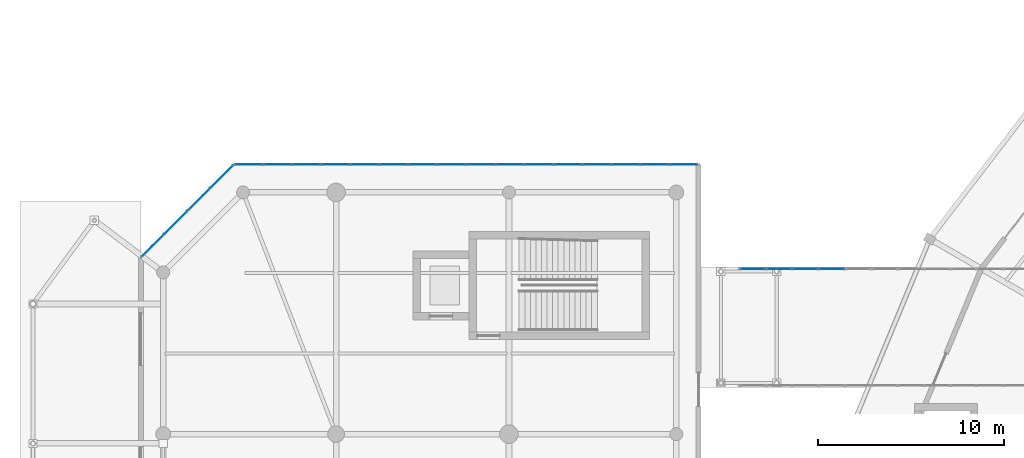
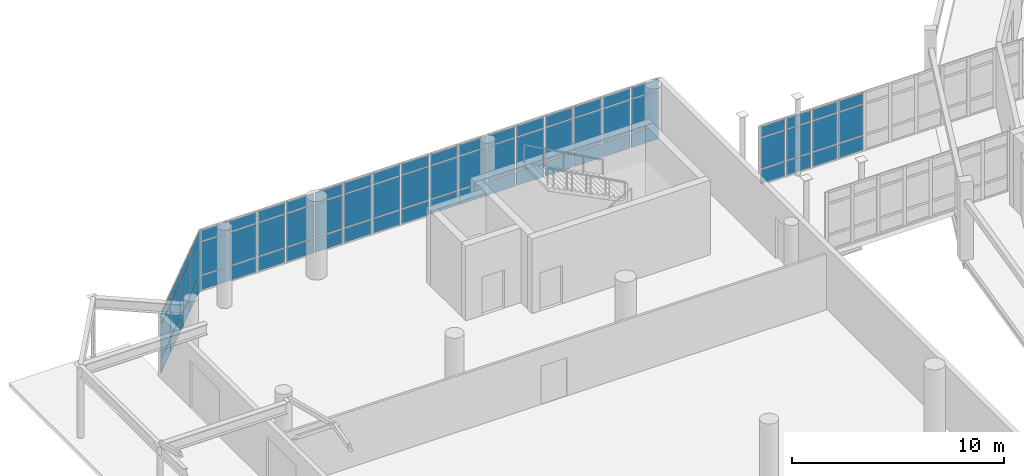
# One storey, part 85 of 122: 72 plates, 3 elements without a shape of their own.
"""IFC4 building model written with IfcOpenShell, lengths in metres."""

import ifcopenshell
import ifcopenshell.guid

model = None  # the IFC model being written
_history = None  # IfcOwnerHistory: only IFC2X3 demands one
_inside = {}  # id of a spatial element -> (the spatial element, [elements in it])
_under = {}  # id of a project, library or spatial element -> (it, [spatial elements below it])
_declared = {}  # id of a project -> (the project, [libraries it declares])
_typed = {}  # id of a type object -> (the type object, [elements of that type])
_made_of = {}  # id of a material, layer set ... -> (it, [elements and type objects made of it])


def new_model(schema):
    """Start an empty IFC model of exactly this schema.

    Asked for "IFC4X3", IfcOpenShell would pick the latest addendum, in which some entities
    have other attributes; the version numbers below select the first issue.
    IFC2X3 requires an IfcOwnerHistory on every rooted entity: one is made here for all.
    """
    global model, _history
    if schema == "IFC4X3":
        model = ifcopenshell.file(schema_version=(4, 3, 0, 0))
    else:
        model = ifcopenshell.file(schema=schema)
    _inside.clear()
    _under.clear()
    _declared.clear()
    _typed.clear()
    _made_of.clear()
    _history = None
    if model.schema == "IFC2X3":
        org = make("IfcOrganization", Name="unknown")
        user = make(
            "IfcPersonAndOrganization",
            ThePerson=make("IfcPerson", FamilyName="unknown"),
            TheOrganization=org,
        )
        app = make(
            "IfcApplication",
            ApplicationDeveloper=org,
            Version="unknown",
            ApplicationFullName="unknown",
            ApplicationIdentifier="unknown",
        )
        _history = make(
            "IfcOwnerHistory",
            OwningUser=user,
            OwningApplication=app,
            ChangeAction="ADDED",
            CreationDate=0,
        )
    return model


def make(cls, **values):
    """One entity of the class cls with the attributes given. An attribute that is None is left unset."""
    return model.create_entity(
        cls, **{name: value for name, value in values.items() if value is not None}
    )


def rooted(cls, **values):
    """An entity with a GlobalId (a new one), such as an element, a storey or a relation."""
    return make(cls, GlobalId=ifcopenshell.guid.new(), OwnerHistory=_history, **values)


def si_unit(unit_type, name, prefix=None):
    """IfcSIUnit, for example si_unit("LENGTHUNIT", "METRE", prefix="MILLI")."""
    return make("IfcSIUnit", UnitType=unit_type, Prefix=prefix, Name=name)


def assignment(units):
    """IfcUnitAssignment: the units of a project."""
    return None if units is None else make("IfcUnitAssignment", Units=units)


def point(xyz):
    """IfcCartesianPoint."""
    return None if xyz is None else make("IfcCartesianPoint", Coordinates=xyz)


def direction(xyz):
    """IfcDirection."""
    return None if xyz is None else make("IfcDirection", DirectionRatios=xyz)


def frame(location, z_axis=None, x_axis=None):
    """IfcAxis2Placement3D, a coordinate frame: its origin and axes. An axis left out is left unset."""
    return make(
        "IfcAxis2Placement3D",
        Location=point(location),
        Axis=direction(z_axis),
        RefDirection=direction(x_axis),
    )


def frame_2d(location, x_axis=None):
    """IfcAxis2Placement2D, a coordinate frame in the plane: its origin and x axis."""
    return make(
        "IfcAxis2Placement2D", Location=point(location), RefDirection=direction(x_axis)
    )


def origin():
    """The frame at (0, 0, 0) with its axes left unset."""
    return frame((0.0, 0.0, 0.0))


def origin_2d():
    """The frame at (0, 0) in the plane with its x axis left unset."""
    return frame_2d((0.0, 0.0))


def place(relative_to, where):
    """IfcLocalPlacement: puts the frame where relative to a parent placement (None: the world)."""
    return make(
        "IfcLocalPlacement", PlacementRelTo=relative_to, RelativePlacement=where
    )


def context(
    kind, dimensions, precision=None, world=None, true_north=None, identifier=None
):
    """IfcGeometricRepresentationContext, for example the 3D "Model" context."""
    return make(
        "IfcGeometricRepresentationContext",
        ContextIdentifier=identifier,
        ContextType=kind,
        CoordinateSpaceDimension=dimensions,
        Precision=precision,
        WorldCoordinateSystem=world,
        TrueNorth=true_north,
    )


def subcontext(parent, identifier, kind, view, scale=None):
    """IfcGeometricRepresentationSubContext, for example "Body" below "Model"."""
    return make(
        "IfcGeometricRepresentationSubContext",
        ContextIdentifier=identifier,
        ContextType=kind,
        ParentContext=parent,
        TargetScale=scale,
        TargetView=view,
    )


def project(units=None, contexts=None):
    """IfcProject with its units and contexts."""
    return rooted(
        "IfcProject",
        Name="project",
        RepresentationContexts=contexts,
        UnitsInContext=assignment(units),
    )


def spatial(cls, under=None, at=None, **own):
    """A site, building, storey or space (cls), placed at a placement, below another one or the project."""
    s = rooted(cls, ObjectPlacement=at, **own)
    if under is not None:
        _under.setdefault(under.id(), (under, []))[1].append(s)
    return s


def profile(cls, at=None, kind="AREA", **sizes):
    """A parametric profile (cls). Its sizes go by their IFC names, for example OverallWidth=200.0."""
    return make(cls, ProfileType=kind, Position=at, **sizes)


def rectangle(**sizes):
    """IfcRectangleProfileDef."""
    return profile("IfcRectangleProfileDef", **sizes)


def extrude(swept, where, along, depth):
    """IfcExtrudedAreaSolid: the profile swept, set in the frame where, extruded along a direction by depth."""
    return make(
        "IfcExtrudedAreaSolid",
        SweptArea=swept,
        Position=where,
        ExtrudedDirection=direction(along),
        Depth=depth,
    )


def shape(context_of_items, identifier, shape_type, items):
    """IfcShapeRepresentation: the items that make up one representation, for example the "Body"."""
    return make(
        "IfcShapeRepresentation",
        ContextOfItems=context_of_items,
        RepresentationIdentifier=identifier,
        RepresentationType=shape_type,
        Items=items,
    )


def material(Name=None, Category=None):
    """IfcMaterial."""
    return make("IfcMaterial", Name=Name, Category=Category)


def layer(
    of_material, thickness, ventilated=None, Name=None, Category=None, Priority=None
):
    """IfcMaterialLayer: one layer of a wall or slab, of a material (None: an air gap)."""
    return make(
        "IfcMaterialLayer",
        Material=of_material,
        LayerThickness=thickness,
        IsVentilated=ventilated,
        Name=Name,
        Category=Category,
        Priority=Priority,
    )


def layer_set(layers, Name=None):
    """IfcMaterialLayerSet."""
    return make("IfcMaterialLayerSet", MaterialLayers=layers, LayerSetName=Name)


def made_of(thing, what):
    """Note that an element or type object is made of a material, layer set ...; save() writes the relation."""
    if what is not None:
        _made_of.setdefault(what.id(), (what, []))[1].append(thing)
    return thing


def type_object(cls, material=None, **own):
    """A type object (cls), such as IfcWallType, which elements share."""
    return made_of(rooted(cls, **own), material)


def element(
    cls,
    number,
    at=None,
    inside=None,
    cuts=None,
    type_object=None,
    material=None,
    context=None,
    identifier="Body",
    shape_type=None,
    held_by="IfcProductDefinitionShape",
    body=None,
    shapes=None,
    **own,
):
    """One element of the class cls, such as IfcWall. Its Tag is "e" and its number.

    at: its placement. inside: the storey or other place that contains it. cuts: it is an
    opening in that element (IfcRelVoidsElement). A single representation is given by context,
    identifier, shape_type and body (its items); several are given by shapes. held_by: the class
    of the entity that holds the representations. save() writes the other relations.
    """
    e = rooted(cls, Tag="e%d" % number, ObjectPlacement=at, **own)
    if body is not None:
        shapes = [shape(context, identifier, shape_type, body)]
    if shapes is not None:
        e.Representation = make(held_by, Representations=shapes)
    if inside is not None:
        _inside.setdefault(inside.id(), (inside, []))[1].append(e)
    if cuts is not None:
        rooted(
            "IfcRelVoidsElement", RelatingBuildingElement=cuts, RelatedOpeningElement=e
        )
    if type_object is not None:
        _typed.setdefault(type_object.id(), (type_object, []))[1].append(e)
    return made_of(e, material)


def aggregate(whole, parts):
    """IfcRelAggregates: a whole, such as a stair, and the parts it consists of."""
    return rooted("IfcRelAggregates", RelatingObject=whole, RelatedObjects=parts)


def save(model, path):
    """Write the relations noted so far, then the file.

    IfcRelAggregates (storeys below a building ...), IfcRelContainedInSpatialStructure (elements
    in a storey), IfcRelDefinesByType, IfcRelAssociatesMaterial and IfcRelDeclares: one each for
    every whole, place, type object, material and project.
    """
    for whole, parts in _under.values():
        aggregate(whole, parts)
    for where, things in _inside.values():
        rooted(
            "IfcRelContainedInSpatialStructure",
            RelatedElements=things,
            RelatingStructure=where,
        )
    for kind, things in _typed.values():
        rooted("IfcRelDefinesByType", RelatedObjects=things, RelatingType=kind)
    for what, things in _made_of.values():
        rooted("IfcRelAssociatesMaterial", RelatedObjects=things, RelatingMaterial=what)
    for by, libraries in _declared.values():
        rooted("IfcRelDeclares", RelatingContext=by, RelatedDefinitions=libraries)
    model.write(path)


model = new_model("IFC4")

# Units and contexts
model_context = context("Model", 3, precision=1e-05, world=origin(), true_north=direction((0.0, 1.0)))
body_context = subcontext(model_context, "Body", "Model", "MODEL_VIEW")
ifc_project = project(units=[si_unit("LENGTHUNIT", "METRE"), si_unit("AREAUNIT", "SQUARE_METRE"), si_unit("VOLUMEUNIT", "CUBIC_METRE"), si_unit("PLANEANGLEUNIT", "RADIAN"), si_unit("MASSUNIT", "GRAM", prefix="KILO")], contexts=[model_context])

# Site, building, storey
site_placement = place(None, origin())
site = spatial("IfcSite", under=ifc_project, at=site_placement, CompositionType="ELEMENT")
building_placement = place(site_placement, origin())
building = spatial("IfcBuilding", under=site, at=building_placement, Name="Sohan Crest Arena", CompositionType="ELEMENT")
storey_placement = place(building_placement, origin())
storey = spatial("IfcBuildingStorey", under=building, at=storey_placement, Name="L00", CompositionType="ELEMENT", Elevation=0.0)

# Curtain wall, plates
ifc_material_1 = material(Name="Thermally broken anodised aluminium", Category="aluminium")
ifc_layer_1 = layer(ifc_material_1, 0.199951171875, Name="Thermally broken anodised aluminium")
ifc_layer_set_1 = layer_set([ifc_layer_1], Name="Thermally broken anodised aluminium")
curtain_wall_type_1 = type_object("IfcCurtainWallType", Name="ARC-CW02", PredefinedType="NOTDEFINED", material=ifc_layer_set_1)
curtain_wall_1_placement = place(storey_placement, origin())
curtain_wall_1 = element("IfcCurtainWall", 1, at=curtain_wall_1_placement, inside=storey, type_object=curtain_wall_type_1, Name="Unitised curtain wall CW-203", PredefinedType="NOTDEFINED")
ifc_material_2 = material(Name="Low-E double-glazed insulated glass", Category="glass")
ifc_layer_2 = layer(ifc_material_2, 0.028076171875, Name="Low-E double-glazed insulated glass")
ifc_layer_set_2 = layer_set([ifc_layer_2], Name="Low-E double-glazed insulated glass")
plate_type = type_object("IfcPlateType", Name="ARC-CNP01", PredefinedType="CURTAIN_PANEL", material=ifc_layer_set_2)
plate_1_placement = place(storey_placement, frame((43.202392578125, 106.0, 0.06005859375), z_axis=(0.0, 0.0, 1.0), x_axis=(-1.0, 0.0, 0.0)))
plate_1 = element("IfcPlate", 2, at=plate_1_placement, type_object=plate_type, Name="CW-203 panel 1.1", PredefinedType="CURTAIN_PANEL", context=body_context, shape_type="SweptSolid", body=[
    extrude(rectangle(XDim=1.465087890625, YDim=0.028076171875, at=origin_2d()), origin(), (0.0, 0.0, 1.0), 0.81005859375),
])
plate_2_placement = place(storey_placement, frame((43.202392578125, 106.0, 0.93017578125), z_axis=(0.0, 0.0, 1.0), x_axis=(-1.0, 0.0, 0.0)))
plate_2 = element("IfcPlate", 3, at=plate_2_placement, type_object=plate_type, Name="CW-203 panel 1.2", PredefinedType="CURTAIN_PANEL", context=body_context, shape_type="SweptSolid", body=[
    extrude(rectangle(XDim=1.465087890625, YDim=0.028076171875, at=origin_2d()), origin(), (0.0, 0.0, 1.0), 1.889892578125),
])
plate_3_placement = place(storey_placement, frame((43.202392578125, 106.0, 2.8798828125), z_axis=(0.0, 0.0, 1.0), x_axis=(-1.0, 0.0, 0.0)))
plate_3 = element("IfcPlate", 4, at=plate_3_placement, type_object=plate_type, Name="CW-203 panel 1.3", PredefinedType="CURTAIN_PANEL", context=body_context, shape_type="SweptSolid", body=[
    extrude(rectangle(XDim=1.465087890625, YDim=0.028076171875, at=origin_2d()), origin(), (0.0, 0.0, 1.0), 0.610107421875),
])
plate_4_placement = place(storey_placement, frame((41.65625, 106.0, 0.06005859375), z_axis=(0.0, 0.0, 1.0), x_axis=(-1.0, 0.0, 0.0)))
plate_4 = element("IfcPlate", 5, at=plate_4_placement, type_object=plate_type, Name="CW-203 panel 2.1", PredefinedType="CURTAIN_PANEL", context=body_context, shape_type="SweptSolid", body=[
    extrude(rectangle(XDim=1.49755859375, YDim=0.028076171875, at=origin_2d()), origin(), (0.0, 0.0, 1.0), 0.81005859375),
])
plate_5_placement = place(storey_placement, frame((41.65625, 106.0, 0.93017578125), z_axis=(0.0, 0.0, 1.0), x_axis=(-1.0, 0.0, 0.0)))
plate_5 = element("IfcPlate", 6, at=plate_5_placement, type_object=plate_type, Name="CW-203 panel 2.2", PredefinedType="CURTAIN_PANEL", context=body_context, shape_type="SweptSolid", body=[
    extrude(rectangle(XDim=1.49755859375, YDim=0.028076171875, at=origin_2d()), origin(), (0.0, 0.0, 1.0), 1.889892578125),
])
plate_6_placement = place(storey_placement, frame((41.65625, 106.0, 2.8798828125), z_axis=(0.0, 0.0, 1.0), x_axis=(-1.0, 0.0, 0.0)))
plate_6 = element("IfcPlate", 7, at=plate_6_placement, type_object=plate_type, Name="CW-203 panel 2.3", PredefinedType="CURTAIN_PANEL", context=body_context, shape_type="SweptSolid", body=[
    extrude(rectangle(XDim=1.49755859375, YDim=0.028076171875, at=origin_2d()), origin(), (0.0, 0.0, 1.0), 0.610107421875),
])
plate_7_placement = place(storey_placement, frame((40.09375, 106.0, 0.06005859375), z_axis=(0.0, 0.0, 1.0), x_axis=(-1.0, 0.0, 0.0)))
plate_7 = element("IfcPlate", 8, at=plate_7_placement, type_object=plate_type, Name="CW-203 panel 3.1", PredefinedType="CURTAIN_PANEL", context=body_context, shape_type="SweptSolid", body=[
    extrude(rectangle(XDim=1.49755859375, YDim=0.028076171875, at=origin_2d()), origin(), (0.0, 0.0, 1.0), 0.81005859375),
])
plate_8_placement = place(storey_placement, frame((40.09375, 106.0, 0.93017578125), z_axis=(0.0, 0.0, 1.0), x_axis=(-1.0, 0.0, 0.0)))
plate_8 = element("IfcPlate", 9, at=plate_8_placement, type_object=plate_type, Name="CW-203 panel 3.2", PredefinedType="CURTAIN_PANEL", context=body_context, shape_type="SweptSolid", body=[
    extrude(rectangle(XDim=1.49755859375, YDim=0.028076171875, at=origin_2d()), origin(), (0.0, 0.0, 1.0), 1.889892578125),
])
plate_9_placement = place(storey_placement, frame((40.09375, 106.0, 2.8798828125), z_axis=(0.0, 0.0, 1.0), x_axis=(-1.0, 0.0, 0.0)))
plate_9 = element("IfcPlate", 10, at=plate_9_placement, type_object=plate_type, Name="CW-203 panel 3.3", PredefinedType="CURTAIN_PANEL", context=body_context, shape_type="SweptSolid", body=[
    extrude(rectangle(XDim=1.49755859375, YDim=0.028076171875, at=origin_2d()), origin(), (0.0, 0.0, 1.0), 0.610107421875),
])
plate_10_placement = place(storey_placement, frame((38.53125, 106.0, 0.06005859375), z_axis=(0.0, 0.0, 1.0), x_axis=(-1.0, 0.0, 0.0)))
plate_10 = element("IfcPlate", 11, at=plate_10_placement, type_object=plate_type, Name="CW-203 panel 4.1", PredefinedType="CURTAIN_PANEL", context=body_context, shape_type="SweptSolid", body=[
    extrude(rectangle(XDim=1.49755859375, YDim=0.028076171875, at=origin_2d()), origin(), (0.0, 0.0, 1.0), 0.81005859375),
])
plate_11_placement = place(storey_placement, frame((38.53125, 106.0, 0.93017578125), z_axis=(0.0, 0.0, 1.0), x_axis=(-1.0, 0.0, 0.0)))
plate_11 = element("IfcPlate", 12, at=plate_11_placement, type_object=plate_type, Name="CW-203 panel 4.2", PredefinedType="CURTAIN_PANEL", context=body_context, shape_type="SweptSolid", body=[
    extrude(rectangle(XDim=1.49755859375, YDim=0.028076171875, at=origin_2d()), origin(), (0.0, 0.0, 1.0), 1.889892578125),
])
plate_12_placement = place(storey_placement, frame((38.53125, 106.0, 2.8798828125), z_axis=(0.0, 0.0, 1.0), x_axis=(-1.0, 0.0, 0.0)))
plate_12 = element("IfcPlate", 13, at=plate_12_placement, type_object=plate_type, Name="CW-203 panel 4.3", PredefinedType="CURTAIN_PANEL", context=body_context, shape_type="SweptSolid", body=[
    extrude(rectangle(XDim=1.49755859375, YDim=0.028076171875, at=origin_2d()), origin(), (0.0, 0.0, 1.0), 0.610107421875),
])
plate_13_placement = place(storey_placement, frame((36.96875, 106.0, 0.06005859375), z_axis=(0.0, 0.0, 1.0), x_axis=(-1.0, 0.0, 0.0)))
plate_13 = element("IfcPlate", 14, at=plate_13_placement, type_object=plate_type, Name="CW-203 panel 5.1", PredefinedType="CURTAIN_PANEL", context=body_context, shape_type="SweptSolid", body=[
    extrude(rectangle(XDim=1.49755859375, YDim=0.028076171875, at=origin_2d()), origin(), (0.0, 0.0, 1.0), 0.81005859375),
])
plate_14_placement = place(storey_placement, frame((36.96875, 106.0, 0.93017578125), z_axis=(0.0, 0.0, 1.0), x_axis=(-1.0, 0.0, 0.0)))
plate_14 = element("IfcPlate", 15, at=plate_14_placement, type_object=plate_type, Name="CW-203 panel 5.2", PredefinedType="CURTAIN_PANEL", context=body_context, shape_type="SweptSolid", body=[
    extrude(rectangle(XDim=1.49755859375, YDim=0.028076171875, at=origin_2d()), origin(), (0.0, 0.0, 1.0), 1.889892578125),
])
plate_15_placement = place(storey_placement, frame((36.96875, 106.0, 2.8798828125), z_axis=(0.0, 0.0, 1.0), x_axis=(-1.0, 0.0, 0.0)))
plate_15 = element("IfcPlate", 16, at=plate_15_placement, type_object=plate_type, Name="CW-203 panel 5.3", PredefinedType="CURTAIN_PANEL", context=body_context, shape_type="SweptSolid", body=[
    extrude(rectangle(XDim=1.49755859375, YDim=0.028076171875, at=origin_2d()), origin(), (0.0, 0.0, 1.0), 0.610107421875),
])
plate_16_placement = place(storey_placement, frame((35.40625, 106.0, 0.06005859375), z_axis=(0.0, 0.0, 1.0), x_axis=(-1.0, 0.0, 0.0)))
plate_16 = element("IfcPlate", 17, at=plate_16_placement, type_object=plate_type, Name="CW-203 panel 6.1", PredefinedType="CURTAIN_PANEL", context=body_context, shape_type="SweptSolid", body=[
    extrude(rectangle(XDim=1.49755859375, YDim=0.028076171875, at=origin_2d()), origin(), (0.0, 0.0, 1.0), 0.81005859375),
])
plate_17_placement = place(storey_placement, frame((35.40625, 106.0, 0.93017578125), z_axis=(0.0, 0.0, 1.0), x_axis=(-1.0, 0.0, 0.0)))
plate_17 = element("IfcPlate", 18, at=plate_17_placement, type_object=plate_type, Name="CW-203 panel 6.2", PredefinedType="CURTAIN_PANEL", context=body_context, shape_type="SweptSolid", body=[
    extrude(rectangle(XDim=1.49755859375, YDim=0.028076171875, at=origin_2d()), origin(), (0.0, 0.0, 1.0), 1.889892578125),
])
plate_18_placement = place(storey_placement, frame((35.40625, 106.0, 2.8798828125), z_axis=(0.0, 0.0, 1.0), x_axis=(-1.0, 0.0, 0.0)))
plate_18 = element("IfcPlate", 19, at=plate_18_placement, type_object=plate_type, Name="CW-203 panel 6.3", PredefinedType="CURTAIN_PANEL", context=body_context, shape_type="SweptSolid", body=[
    extrude(rectangle(XDim=1.49755859375, YDim=0.028076171875, at=origin_2d()), origin(), (0.0, 0.0, 1.0), 0.610107421875),
])
plate_19_placement = place(storey_placement, frame((33.84375, 106.0, 0.06005859375), z_axis=(0.0, 0.0, 1.0), x_axis=(-1.0, 0.0, 0.0)))
plate_19 = element("IfcPlate", 20, at=plate_19_placement, type_object=plate_type, Name="CW-203 panel 7.1", PredefinedType="CURTAIN_PANEL", context=body_context, shape_type="SweptSolid", body=[
    extrude(rectangle(XDim=1.49755859375, YDim=0.028076171875, at=origin_2d()), origin(), (0.0, 0.0, 1.0), 0.81005859375),
])
plate_20_placement = place(storey_placement, frame((33.84375, 106.0, 0.93017578125), z_axis=(0.0, 0.0, 1.0), x_axis=(-1.0, 0.0, 0.0)))
plate_20 = element("IfcPlate", 21, at=plate_20_placement, type_object=plate_type, Name="CW-203 panel 7.2", PredefinedType="CURTAIN_PANEL", context=body_context, shape_type="SweptSolid", body=[
    extrude(rectangle(XDim=1.49755859375, YDim=0.028076171875, at=origin_2d()), origin(), (0.0, 0.0, 1.0), 1.889892578125),
])
plate_21_placement = place(storey_placement, frame((33.84375, 106.0, 2.8798828125), z_axis=(0.0, 0.0, 1.0), x_axis=(-1.0, 0.0, 0.0)))
plate_21 = element("IfcPlate", 22, at=plate_21_placement, type_object=plate_type, Name="CW-203 panel 7.3", PredefinedType="CURTAIN_PANEL", context=body_context, shape_type="SweptSolid", body=[
    extrude(rectangle(XDim=1.49755859375, YDim=0.028076171875, at=origin_2d()), origin(), (0.0, 0.0, 1.0), 0.610107421875),
])
plate_22_placement = place(storey_placement, frame((32.28125, 106.0, 0.06005859375), z_axis=(0.0, 0.0, 1.0), x_axis=(-1.0, 0.0, 0.0)))
plate_22 = element("IfcPlate", 23, at=plate_22_placement, type_object=plate_type, Name="CW-203 panel 8.1", PredefinedType="CURTAIN_PANEL", context=body_context, shape_type="SweptSolid", body=[
    extrude(rectangle(XDim=1.49755859375, YDim=0.028076171875, at=origin_2d()), origin(), (0.0, 0.0, 1.0), 0.81005859375),
])
plate_23_placement = place(storey_placement, frame((32.28125, 106.0, 0.93017578125), z_axis=(0.0, 0.0, 1.0), x_axis=(-1.0, 0.0, 0.0)))
plate_23 = element("IfcPlate", 24, at=plate_23_placement, type_object=plate_type, Name="CW-203 panel 8.2", PredefinedType="CURTAIN_PANEL", context=body_context, shape_type="SweptSolid", body=[
    extrude(rectangle(XDim=1.49755859375, YDim=0.028076171875, at=origin_2d()), origin(), (0.0, 0.0, 1.0), 1.889892578125),
])
plate_24_placement = place(storey_placement, frame((32.28125, 106.0, 2.8798828125), z_axis=(0.0, 0.0, 1.0), x_axis=(-1.0, 0.0, 0.0)))
plate_24 = element("IfcPlate", 25, at=plate_24_placement, type_object=plate_type, Name="CW-203 panel 8.3", PredefinedType="CURTAIN_PANEL", context=body_context, shape_type="SweptSolid", body=[
    extrude(rectangle(XDim=1.49755859375, YDim=0.028076171875, at=origin_2d()), origin(), (0.0, 0.0, 1.0), 0.610107421875),
])
plate_25_placement = place(storey_placement, frame((30.71875, 106.0, 0.06005859375), z_axis=(0.0, 0.0, 1.0), x_axis=(-1.0, 0.0, 0.0)))
plate_25 = element("IfcPlate", 26, at=plate_25_placement, type_object=plate_type, Name="CW-203 panel 9.1", PredefinedType="CURTAIN_PANEL", context=body_context, shape_type="SweptSolid", body=[
    extrude(rectangle(XDim=1.49755859375, YDim=0.028076171875, at=origin_2d()), origin(), (0.0, 0.0, 1.0), 0.81005859375),
])
plate_26_placement = place(storey_placement, frame((30.71875, 106.0, 0.93017578125), z_axis=(0.0, 0.0, 1.0), x_axis=(-1.0, 0.0, 0.0)))
plate_26 = element("IfcPlate", 27, at=plate_26_placement, type_object=plate_type, Name="CW-203 panel 9.2", PredefinedType="CURTAIN_PANEL", context=body_context, shape_type="SweptSolid", body=[
    extrude(rectangle(XDim=1.49755859375, YDim=0.028076171875, at=origin_2d()), origin(), (0.0, 0.0, 1.0), 1.889892578125),
])
plate_27_placement = place(storey_placement, frame((30.71875, 106.0, 2.8798828125), z_axis=(0.0, 0.0, 1.0), x_axis=(-1.0, 0.0, 0.0)))
plate_27 = element("IfcPlate", 28, at=plate_27_placement, type_object=plate_type, Name="CW-203 panel 9.3", PredefinedType="CURTAIN_PANEL", context=body_context, shape_type="SweptSolid", body=[
    extrude(rectangle(XDim=1.49755859375, YDim=0.028076171875, at=origin_2d()), origin(), (0.0, 0.0, 1.0), 0.610107421875),
])
plate_28_placement = place(storey_placement, frame((29.15625, 106.0, 0.06005859375), z_axis=(0.0, 0.0, 1.0), x_axis=(-1.0, 0.0, 0.0)))
plate_28 = element("IfcPlate", 29, at=plate_28_placement, type_object=plate_type, Name="CW-203 panel 10.1", PredefinedType="CURTAIN_PANEL", context=body_context, shape_type="SweptSolid", body=[
    extrude(rectangle(XDim=1.49755859375, YDim=0.028076171875, at=origin_2d()), origin(), (0.0, 0.0, 1.0), 0.81005859375),
])
plate_29_placement = place(storey_placement, frame((29.15625, 106.0, 0.93017578125), z_axis=(0.0, 0.0, 1.0), x_axis=(-1.0, 0.0, 0.0)))
plate_29 = element("IfcPlate", 30, at=plate_29_placement, type_object=plate_type, Name="CW-203 panel 10.2", PredefinedType="CURTAIN_PANEL", context=body_context, shape_type="SweptSolid", body=[
    extrude(rectangle(XDim=1.49755859375, YDim=0.028076171875, at=origin_2d()), origin(), (0.0, 0.0, 1.0), 1.889892578125),
])
plate_30_placement = place(storey_placement, frame((29.15625, 106.0, 2.8798828125), z_axis=(0.0, 0.0, 1.0), x_axis=(-1.0, 0.0, 0.0)))
plate_30 = element("IfcPlate", 31, at=plate_30_placement, type_object=plate_type, Name="CW-203 panel 10.3", PredefinedType="CURTAIN_PANEL", context=body_context, shape_type="SweptSolid", body=[
    extrude(rectangle(XDim=1.49755859375, YDim=0.028076171875, at=origin_2d()), origin(), (0.0, 0.0, 1.0), 0.610107421875),
])
plate_31_placement = place(storey_placement, frame((27.59375, 106.0, 0.06005859375), z_axis=(0.0, 0.0, 1.0), x_axis=(-1.0, 0.0, 0.0)))
plate_31 = element("IfcPlate", 32, at=plate_31_placement, type_object=plate_type, Name="CW-203 panel 11.1", PredefinedType="CURTAIN_PANEL", context=body_context, shape_type="SweptSolid", body=[
    extrude(rectangle(XDim=1.49755859375, YDim=0.028076171875, at=origin_2d()), origin(), (0.0, 0.0, 1.0), 0.81005859375),
])
plate_32_placement = place(storey_placement, frame((27.59375, 106.0, 0.93017578125), z_axis=(0.0, 0.0, 1.0), x_axis=(-1.0, 0.0, 0.0)))
plate_32 = element("IfcPlate", 33, at=plate_32_placement, type_object=plate_type, Name="CW-203 panel 11.2", PredefinedType="CURTAIN_PANEL", context=body_context, shape_type="SweptSolid", body=[
    extrude(rectangle(XDim=1.49755859375, YDim=0.028076171875, at=origin_2d()), origin(), (0.0, 0.0, 1.0), 1.889892578125),
])
plate_33_placement = place(storey_placement, frame((27.59375, 106.0, 2.8798828125), z_axis=(0.0, 0.0, 1.0), x_axis=(-1.0, 0.0, 0.0)))
plate_33 = element("IfcPlate", 34, at=plate_33_placement, type_object=plate_type, Name="CW-203 panel 11.3", PredefinedType="CURTAIN_PANEL", context=body_context, shape_type="SweptSolid", body=[
    extrude(rectangle(XDim=1.49755859375, YDim=0.028076171875, at=origin_2d()), origin(), (0.0, 0.0, 1.0), 0.610107421875),
])
plate_34_placement = place(storey_placement, frame((26.03125, 106.0, 0.06005859375), z_axis=(0.0, 0.0, 1.0), x_axis=(-1.0, 0.0, 0.0)))
plate_34 = element("IfcPlate", 35, at=plate_34_placement, type_object=plate_type, Name="CW-203 panel 12.1", PredefinedType="CURTAIN_PANEL", context=body_context, shape_type="SweptSolid", body=[
    extrude(rectangle(XDim=1.49755859375, YDim=0.028076171875, at=origin_2d()), origin(), (0.0, 0.0, 1.0), 0.81005859375),
])
plate_35_placement = place(storey_placement, frame((26.03125, 106.0, 0.93017578125), z_axis=(0.0, 0.0, 1.0), x_axis=(-1.0, 0.0, 0.0)))
plate_35 = element("IfcPlate", 36, at=plate_35_placement, type_object=plate_type, Name="CW-203 panel 12.2", PredefinedType="CURTAIN_PANEL", context=body_context, shape_type="SweptSolid", body=[
    extrude(rectangle(XDim=1.49755859375, YDim=0.028076171875, at=origin_2d()), origin(), (0.0, 0.0, 1.0), 1.889892578125),
])
plate_36_placement = place(storey_placement, frame((26.03125, 106.0, 2.8798828125), z_axis=(0.0, 0.0, 1.0), x_axis=(-1.0, 0.0, 0.0)))
plate_36 = element("IfcPlate", 37, at=plate_36_placement, type_object=plate_type, Name="CW-203 panel 12.3", PredefinedType="CURTAIN_PANEL", context=body_context, shape_type="SweptSolid", body=[
    extrude(rectangle(XDim=1.49755859375, YDim=0.028076171875, at=origin_2d()), origin(), (0.0, 0.0, 1.0), 0.610107421875),
])
plate_37_placement = place(storey_placement, frame((24.46875, 106.0, 0.06005859375), z_axis=(0.0, 0.0, 1.0), x_axis=(-1.0, 0.0, 0.0)))
plate_37 = element("IfcPlate", 38, at=plate_37_placement, type_object=plate_type, Name="CW-203 panel 13.1", PredefinedType="CURTAIN_PANEL", context=body_context, shape_type="SweptSolid", body=[
    extrude(rectangle(XDim=1.49755859375, YDim=0.028076171875, at=origin_2d()), origin(), (0.0, 0.0, 1.0), 0.81005859375),
])
plate_38_placement = place(storey_placement, frame((24.46875, 106.0, 0.93017578125), z_axis=(0.0, 0.0, 1.0), x_axis=(-1.0, 0.0, 0.0)))
plate_38 = element("IfcPlate", 39, at=plate_38_placement, type_object=plate_type, Name="CW-203 panel 13.2", PredefinedType="CURTAIN_PANEL", context=body_context, shape_type="SweptSolid", body=[
    extrude(rectangle(XDim=1.49755859375, YDim=0.028076171875, at=origin_2d()), origin(), (0.0, 0.0, 1.0), 1.889892578125),
])
plate_39_placement = place(storey_placement, frame((24.46875, 106.0, 2.8798828125), z_axis=(0.0, 0.0, 1.0), x_axis=(-1.0, 0.0, 0.0)))
plate_39 = element("IfcPlate", 40, at=plate_39_placement, type_object=plate_type, Name="CW-203 panel 13.3", PredefinedType="CURTAIN_PANEL", context=body_context, shape_type="SweptSolid", body=[
    extrude(rectangle(XDim=1.49755859375, YDim=0.028076171875, at=origin_2d()), origin(), (0.0, 0.0, 1.0), 0.610107421875),
])
plate_40_placement = place(storey_placement, frame((22.90625, 106.0, 0.06005859375), z_axis=(0.0, 0.0, 1.0), x_axis=(-1.0, 0.0, 0.0)))
plate_40 = element("IfcPlate", 41, at=plate_40_placement, type_object=plate_type, Name="CW-203 panel 14.1", PredefinedType="CURTAIN_PANEL", context=body_context, shape_type="SweptSolid", body=[
    extrude(rectangle(XDim=1.49755859375, YDim=0.028076171875, at=origin_2d()), origin(), (0.0, 0.0, 1.0), 0.81005859375),
])
plate_41_placement = place(storey_placement, frame((22.90625, 106.0, 0.93017578125), z_axis=(0.0, 0.0, 1.0), x_axis=(-1.0, 0.0, 0.0)))
plate_41 = element("IfcPlate", 42, at=plate_41_placement, type_object=plate_type, Name="CW-203 panel 14.2", PredefinedType="CURTAIN_PANEL", context=body_context, shape_type="SweptSolid", body=[
    extrude(rectangle(XDim=1.49755859375, YDim=0.028076171875, at=origin_2d()), origin(), (0.0, 0.0, 1.0), 1.889892578125),
])
plate_42_placement = place(storey_placement, frame((22.90625, 106.0, 2.8798828125), z_axis=(0.0, 0.0, 1.0), x_axis=(-1.0, 0.0, 0.0)))
plate_42 = element("IfcPlate", 43, at=plate_42_placement, type_object=plate_type, Name="CW-203 panel 14.3", PredefinedType="CURTAIN_PANEL", context=body_context, shape_type="SweptSolid", body=[
    extrude(rectangle(XDim=1.49755859375, YDim=0.028076171875, at=origin_2d()), origin(), (0.0, 0.0, 1.0), 0.610107421875),
])
plate_43_placement = place(storey_placement, frame((21.34375, 106.0, 0.06005859375), z_axis=(0.0, 0.0, 1.0), x_axis=(-1.0, 0.0, 0.0)))
plate_43 = element("IfcPlate", 44, at=plate_43_placement, type_object=plate_type, Name="CW-203 panel 15.1", PredefinedType="CURTAIN_PANEL", context=body_context, shape_type="SweptSolid", body=[
    extrude(rectangle(XDim=1.49755859375, YDim=0.028076171875, at=origin_2d()), origin(), (0.0, 0.0, 1.0), 0.81005859375),
])
plate_44_placement = place(storey_placement, frame((21.34375, 106.0, 0.93017578125), z_axis=(0.0, 0.0, 1.0), x_axis=(-1.0, 0.0, 0.0)))
plate_44 = element("IfcPlate", 45, at=plate_44_placement, type_object=plate_type, Name="CW-203 panel 15.2", PredefinedType="CURTAIN_PANEL", context=body_context, shape_type="SweptSolid", body=[
    extrude(rectangle(XDim=1.49755859375, YDim=0.028076171875, at=origin_2d()), origin(), (0.0, 0.0, 1.0), 1.889892578125),
])
plate_45_placement = place(storey_placement, frame((21.34375, 106.0, 2.8798828125), z_axis=(0.0, 0.0, 1.0), x_axis=(-1.0, 0.0, 0.0)))
plate_45 = element("IfcPlate", 46, at=plate_45_placement, type_object=plate_type, Name="CW-203 panel 15.3", PredefinedType="CURTAIN_PANEL", context=body_context, shape_type="SweptSolid", body=[
    extrude(rectangle(XDim=1.49755859375, YDim=0.028076171875, at=origin_2d()), origin(), (0.0, 0.0, 1.0), 0.610107421875),
])
plate_46_placement = place(storey_placement, frame((19.797607421875, 106.0, 0.06005859375), z_axis=(0.0, 0.0, 1.0), x_axis=(-1.0, 0.0, 0.0)))
plate_46 = element("IfcPlate", 47, at=plate_46_placement, type_object=plate_type, Name="CW-203 panel 16.1", PredefinedType="CURTAIN_PANEL", context=body_context, shape_type="SweptSolid", body=[
    extrude(rectangle(XDim=1.465087890625, YDim=0.028076171875, at=origin_2d()), origin(), (0.0, 0.0, 1.0), 0.81005859375),
])
plate_47_placement = place(storey_placement, frame((19.797607421875, 106.0, 0.93017578125), z_axis=(0.0, 0.0, 1.0), x_axis=(-1.0, 0.0, 0.0)))
plate_47 = element("IfcPlate", 48, at=plate_47_placement, type_object=plate_type, Name="CW-203 panel 16.2", PredefinedType="CURTAIN_PANEL", context=body_context, shape_type="SweptSolid", body=[
    extrude(rectangle(XDim=1.465087890625, YDim=0.028076171875, at=origin_2d()), origin(), (0.0, 0.0, 1.0), 1.889892578125),
])
plate_48_placement = place(storey_placement, frame((19.797607421875, 106.0, 2.8798828125), z_axis=(0.0, 0.0, 1.0), x_axis=(-1.0, 0.0, 0.0)))
plate_48 = element("IfcPlate", 49, at=plate_48_placement, type_object=plate_type, Name="CW-203 panel 16.3", PredefinedType="CURTAIN_PANEL", context=body_context, shape_type="SweptSolid", body=[
    extrude(rectangle(XDim=1.465087890625, YDim=0.028076171875, at=origin_2d()), origin(), (0.0, 0.0, 1.0), 0.610107421875),
])
aggregate(curtain_wall_1, [plate_1, plate_2, plate_3, plate_4, plate_5, plate_6, plate_7, plate_8, plate_9, plate_10, plate_11, plate_12, plate_13, plate_14, plate_15, plate_16, plate_17, plate_18, plate_19, plate_20, plate_21, plate_22, plate_23, plate_24, plate_25, plate_26, plate_27, plate_28, plate_29, plate_30, plate_31, plate_32, plate_33, plate_34, plate_35, plate_36, plate_37, plate_38, plate_39, plate_40, plate_41, plate_42, plate_43, plate_44, plate_45, plate_46, plate_47, plate_48])

curtain_wall_2_placement = place(storey_placement, origin())
curtain_wall_2 = element("IfcCurtainWall", 50, at=curtain_wall_2_placement, inside=storey, type_object=curtain_wall_type_1, Name="Unitised curtain wall CW-204", PredefinedType="NOTDEFINED")
plate_49_placement = place(storey_placement, frame((18.363525390625, 105.363525390625, 0.06005859375), z_axis=(0.0, 0.0, 1.0), x_axis=(-0.707106781187, -0.707106781187, 0.0)))
plate_49 = element("IfcPlate", 51, at=plate_49_placement, type_object=plate_type, Name="CW-204 panel 1.1", PredefinedType="CURTAIN_PANEL", context=body_context, shape_type="SweptSolid", body=[
    extrude(rectangle(XDim=1.670166015625, YDim=0.028076171875, at=origin_2d()), origin(), (0.0, 0.0, 1.0), 0.81005859375),
])
plate_50_placement = place(storey_placement, frame((18.363525390625, 105.363525390625, 0.93017578125), z_axis=(0.0, 0.0, 1.0), x_axis=(-0.707106781187, -0.707106781187, 0.0)))
plate_50 = element("IfcPlate", 52, at=plate_50_placement, type_object=plate_type, Name="CW-204 panel 1.2", PredefinedType="CURTAIN_PANEL", context=body_context, shape_type="SweptSolid", body=[
    extrude(rectangle(XDim=1.670166015625, YDim=0.028076171875, at=origin_2d()), origin(), (0.0, 0.0, 1.0), 1.889892578125),
])
plate_51_placement = place(storey_placement, frame((18.363525390625, 105.363525390625, 2.8798828125), z_axis=(0.0, 0.0, 1.0), x_axis=(-0.707106781187, -0.707106781187, 0.0)))
plate_51 = element("IfcPlate", 53, at=plate_51_placement, type_object=plate_type, Name="CW-204 panel 1.3", PredefinedType="CURTAIN_PANEL", context=body_context, shape_type="SweptSolid", body=[
    extrude(rectangle(XDim=1.670166015625, YDim=0.028076171875, at=origin_2d()), origin(), (0.0, 0.0, 1.0), 0.610107421875),
])
plate_52_placement = place(storey_placement, frame((17.125, 104.125, 0.06005859375), z_axis=(0.0, 0.0, 1.0), x_axis=(-0.707106781187, -0.707106781187, 0.0)))
plate_52 = element("IfcPlate", 54, at=plate_52_placement, type_object=plate_type, Name="CW-204 panel 2.1", PredefinedType="CURTAIN_PANEL", context=body_context, shape_type="SweptSolid", body=[
    extrude(rectangle(XDim=1.702880859375, YDim=0.028076171875, at=origin_2d()), origin(), (0.0, 0.0, 1.0), 0.81005859375),
])
plate_53_placement = place(storey_placement, frame((17.125, 104.125, 0.93017578125), z_axis=(0.0, 0.0, 1.0), x_axis=(-0.707106781187, -0.707106781187, 0.0)))
plate_53 = element("IfcPlate", 55, at=plate_53_placement, type_object=plate_type, Name="CW-204 panel 2.2", PredefinedType="CURTAIN_PANEL", context=body_context, shape_type="SweptSolid", body=[
    extrude(rectangle(XDim=1.702880859375, YDim=0.028076171875, at=origin_2d()), origin(), (0.0, 0.0, 1.0), 1.889892578125),
])
plate_54_placement = place(storey_placement, frame((17.125, 104.125, 2.8798828125), z_axis=(0.0, 0.0, 1.0), x_axis=(-0.707106781187, -0.707106781187, 0.0)))
plate_54 = element("IfcPlate", 56, at=plate_54_placement, type_object=plate_type, Name="CW-204 panel 2.3", PredefinedType="CURTAIN_PANEL", context=body_context, shape_type="SweptSolid", body=[
    extrude(rectangle(XDim=1.702880859375, YDim=0.028076171875, at=origin_2d()), origin(), (0.0, 0.0, 1.0), 0.610107421875),
])
plate_55_placement = place(storey_placement, frame((15.875, 102.875, 0.06005859375), z_axis=(0.0, 0.0, 1.0), x_axis=(-0.707106781187, -0.707106781187, 0.0)))
plate_55 = element("IfcPlate", 57, at=plate_55_placement, type_object=plate_type, Name="CW-204 panel 3.1", PredefinedType="CURTAIN_PANEL", context=body_context, shape_type="SweptSolid", body=[
    extrude(rectangle(XDim=1.702880859375, YDim=0.028076171875, at=origin_2d()), origin(), (0.0, 0.0, 1.0), 0.81005859375),
])
plate_56_placement = place(storey_placement, frame((15.875, 102.875, 0.93017578125), z_axis=(0.0, 0.0, 1.0), x_axis=(-0.707106781187, -0.707106781187, 0.0)))
plate_56 = element("IfcPlate", 58, at=plate_56_placement, type_object=plate_type, Name="CW-204 panel 3.2", PredefinedType="CURTAIN_PANEL", context=body_context, shape_type="SweptSolid", body=[
    extrude(rectangle(XDim=1.702880859375, YDim=0.028076171875, at=origin_2d()), origin(), (0.0, 0.0, 1.0), 1.889892578125),
])
plate_57_placement = place(storey_placement, frame((15.875, 102.875, 2.8798828125), z_axis=(0.0, 0.0, 1.0), x_axis=(-0.707106781187, -0.707106781187, 0.0)))
plate_57 = element("IfcPlate", 59, at=plate_57_placement, type_object=plate_type, Name="CW-204 panel 3.3", PredefinedType="CURTAIN_PANEL", context=body_context, shape_type="SweptSolid", body=[
    extrude(rectangle(XDim=1.702880859375, YDim=0.028076171875, at=origin_2d()), origin(), (0.0, 0.0, 1.0), 0.610107421875),
])
plate_58_placement = place(storey_placement, frame((14.636474609375, 101.636474609375, 0.06005859375), z_axis=(0.0, 0.0, 1.0), x_axis=(-0.707106781187, -0.707106781187, 0.0)))
plate_58 = element("IfcPlate", 60, at=plate_58_placement, type_object=plate_type, Name="CW-204 panel 4.1", PredefinedType="CURTAIN_PANEL", context=body_context, shape_type="SweptSolid", body=[
    extrude(rectangle(XDim=1.670166015625, YDim=0.028076171875, at=origin_2d()), origin(), (0.0, 0.0, 1.0), 0.81005859375),
])
plate_59_placement = place(storey_placement, frame((14.636474609375, 101.636474609375, 0.93017578125), z_axis=(0.0, 0.0, 1.0), x_axis=(-0.707106781187, -0.707106781187, 0.0)))
plate_59 = element("IfcPlate", 61, at=plate_59_placement, type_object=plate_type, Name="CW-204 panel 4.2", PredefinedType="CURTAIN_PANEL", context=body_context, shape_type="SweptSolid", body=[
    extrude(rectangle(XDim=1.670166015625, YDim=0.028076171875, at=origin_2d()), origin(), (0.0, 0.0, 1.0), 1.889892578125),
])
plate_60_placement = place(storey_placement, frame((14.636474609375, 101.636474609375, 2.8798828125), z_axis=(0.0, 0.0, 1.0), x_axis=(-0.707106781187, -0.707106781187, 0.0)))
plate_60 = element("IfcPlate", 62, at=plate_60_placement, type_object=plate_type, Name="CW-204 panel 4.3", PredefinedType="CURTAIN_PANEL", context=body_context, shape_type="SweptSolid", body=[
    extrude(rectangle(XDim=1.670166015625, YDim=0.028076171875, at=origin_2d()), origin(), (0.0, 0.0, 1.0), 0.610107421875),
])
aggregate(curtain_wall_2, [plate_49, plate_50, plate_51, plate_52, plate_53, plate_54, plate_55, plate_56, plate_57, plate_58, plate_59, plate_60])

ifc_layer_3 = layer(ifc_material_1, 0.18994140625, Name="Thermally broken anodised aluminium")
ifc_layer_set_3 = layer_set([ifc_layer_3], Name="Thermally broken anodised aluminium")
curtain_wall_type_2 = type_object("IfcCurtainWallType", Name="ARC-CW05", PredefinedType="NOTDEFINED", material=ifc_layer_set_3)
curtain_wall_3_placement = place(storey_placement, origin())
curtain_wall_3 = element("IfcCurtainWall", 63, at=curtain_wall_3_placement, inside=storey, type_object=curtain_wall_type_2, Name="Unitised curtain wall CW-232", PredefinedType="NOTDEFINED")
plate_61_placement = place(storey_placement, frame((46.92529296875, 100.3798828125, 0.06005859375), z_axis=(0.0, 0.0, 1.0), x_axis=(1.0, 0.0, 0.0)))
plate_61 = element("IfcPlate", 64, at=plate_61_placement, type_object=plate_type, Name="CW-232 panel 1.1", PredefinedType="CURTAIN_PANEL", context=body_context, shape_type="SweptSolid", body=[
    extrude(rectangle(XDim=1.32080078125, YDim=0.028076171875, at=origin_2d()), origin(), (0.0, 0.0, 1.0), 0.81005859375),
])
plate_62_placement = place(storey_placement, frame((46.92529296875, 100.3798828125, 0.93017578125), z_axis=(0.0, 0.0, 1.0), x_axis=(1.0, 0.0, 0.0)))
plate_62 = element("IfcPlate", 65, at=plate_62_placement, type_object=plate_type, Name="CW-232 panel 1.2", PredefinedType="CURTAIN_PANEL", context=body_context, shape_type="SweptSolid", body=[
    extrude(rectangle(XDim=1.32080078125, YDim=0.028076171875, at=origin_2d()), origin(), (0.0, 0.0, 1.0), 1.739990234375),
])
plate_63_placement = place(storey_placement, frame((46.92529296875, 100.3798828125, 2.72998046875), z_axis=(0.0, 0.0, 1.0), x_axis=(1.0, 0.0, 0.0)))
plate_63 = element("IfcPlate", 66, at=plate_63_placement, type_object=plate_type, Name="CW-232 panel 1.3", PredefinedType="CURTAIN_PANEL", context=body_context, shape_type="SweptSolid", body=[
    extrude(rectangle(XDim=1.32080078125, YDim=0.028076171875, at=origin_2d()), origin(), (0.0, 0.0, 1.0), 0.610107421875),
])
plate_64_placement = place(storey_placement, frame((48.327392578125, 100.3798828125, 0.06005859375), z_axis=(0.0, 0.0, 1.0), x_axis=(1.0, 0.0, 0.0)))
plate_64 = element("IfcPlate", 67, at=plate_64_placement, type_object=plate_type, Name="CW-232 panel 2.1", PredefinedType="CURTAIN_PANEL", context=body_context, shape_type="SweptSolid", body=[
    extrude(rectangle(XDim=1.353271484375, YDim=0.028076171875, at=origin_2d()), origin(), (0.0, 0.0, 1.0), 0.81005859375),
])
plate_65_placement = place(storey_placement, frame((48.327392578125, 100.3798828125, 0.93017578125), z_axis=(0.0, 0.0, 1.0), x_axis=(1.0, 0.0, 0.0)))
plate_65 = element("IfcPlate", 68, at=plate_65_placement, type_object=plate_type, Name="CW-232 panel 2.2", PredefinedType="CURTAIN_PANEL", context=body_context, shape_type="SweptSolid", body=[
    extrude(rectangle(XDim=1.353271484375, YDim=0.028076171875, at=origin_2d()), origin(), (0.0, 0.0, 1.0), 1.739990234375),
])
plate_66_placement = place(storey_placement, frame((48.327392578125, 100.3798828125, 2.72998046875), z_axis=(0.0, 0.0, 1.0), x_axis=(1.0, 0.0, 0.0)))
plate_66 = element("IfcPlate", 69, at=plate_66_placement, type_object=plate_type, Name="CW-232 panel 2.3", PredefinedType="CURTAIN_PANEL", context=body_context, shape_type="SweptSolid", body=[
    extrude(rectangle(XDim=1.353271484375, YDim=0.028076171875, at=origin_2d()), origin(), (0.0, 0.0, 1.0), 0.610107421875),
])
plate_67_placement = place(storey_placement, frame((49.745361328125, 100.3798828125, 0.06005859375), z_axis=(0.0, 0.0, 1.0), x_axis=(1.0, 0.0, 0.0)))
plate_67 = element("IfcPlate", 70, at=plate_67_placement, type_object=plate_type, Name="CW-232 panel 3.1", PredefinedType="CURTAIN_PANEL", context=body_context, shape_type="SweptSolid", body=[
    extrude(rectangle(XDim=1.353271484375, YDim=0.028076171875, at=origin_2d()), origin(), (0.0, 0.0, 1.0), 0.81005859375),
])
plate_68_placement = place(storey_placement, frame((49.745361328125, 100.3798828125, 0.93017578125), z_axis=(0.0, 0.0, 1.0), x_axis=(1.0, 0.0, 0.0)))
plate_68 = element("IfcPlate", 71, at=plate_68_placement, type_object=plate_type, Name="CW-232 panel 3.2", PredefinedType="CURTAIN_PANEL", context=body_context, shape_type="SweptSolid", body=[
    extrude(rectangle(XDim=1.353271484375, YDim=0.028076171875, at=origin_2d()), origin(), (0.0, 0.0, 1.0), 1.739990234375),
])
plate_69_placement = place(storey_placement, frame((49.745361328125, 100.3798828125, 2.72998046875), z_axis=(0.0, 0.0, 1.0), x_axis=(1.0, 0.0, 0.0)))
plate_69 = element("IfcPlate", 72, at=plate_69_placement, type_object=plate_type, Name="CW-232 panel 3.3", PredefinedType="CURTAIN_PANEL", context=body_context, shape_type="SweptSolid", body=[
    extrude(rectangle(XDim=1.353271484375, YDim=0.028076171875, at=origin_2d()), origin(), (0.0, 0.0, 1.0), 0.610107421875),
])
plate_70_placement = place(storey_placement, frame((51.16357421875, 100.3798828125, 0.06005859375), z_axis=(0.0, 0.0, 1.0), x_axis=(1.0, 0.0, 0.0)))
plate_70 = element("IfcPlate", 73, at=plate_70_placement, type_object=plate_type, Name="CW-232 panel 4.1", PredefinedType="CURTAIN_PANEL", context=body_context, shape_type="SweptSolid", body=[
    extrude(rectangle(XDim=1.353271484375, YDim=0.028076171875, at=origin_2d()), origin(), (0.0, 0.0, 1.0), 0.81005859375),
])
plate_71_placement = place(storey_placement, frame((51.16357421875, 100.3798828125, 0.93017578125), z_axis=(0.0, 0.0, 1.0), x_axis=(1.0, 0.0, 0.0)))
plate_71 = element("IfcPlate", 74, at=plate_71_placement, type_object=plate_type, Name="CW-232 panel 4.2", PredefinedType="CURTAIN_PANEL", context=body_context, shape_type="SweptSolid", body=[
    extrude(rectangle(XDim=1.353271484375, YDim=0.028076171875, at=origin_2d()), origin(), (0.0, 0.0, 1.0), 1.739990234375),
])
plate_72_placement = place(storey_placement, frame((51.16357421875, 100.3798828125, 2.72998046875), z_axis=(0.0, 0.0, 1.0), x_axis=(1.0, 0.0, 0.0)))
plate_72 = element("IfcPlate", 75, at=plate_72_placement, type_object=plate_type, Name="CW-232 panel 4.3", PredefinedType="CURTAIN_PANEL", context=body_context, shape_type="SweptSolid", body=[
    extrude(rectangle(XDim=1.353271484375, YDim=0.028076171875, at=origin_2d()), origin(), (0.0, 0.0, 1.0), 0.610107421875),
])
aggregate(curtain_wall_3, [plate_61, plate_62, plate_63, plate_64, plate_65, plate_66, plate_67, plate_68, plate_69, plate_70, plate_71, plate_72])

save(model, "model.ifc")
